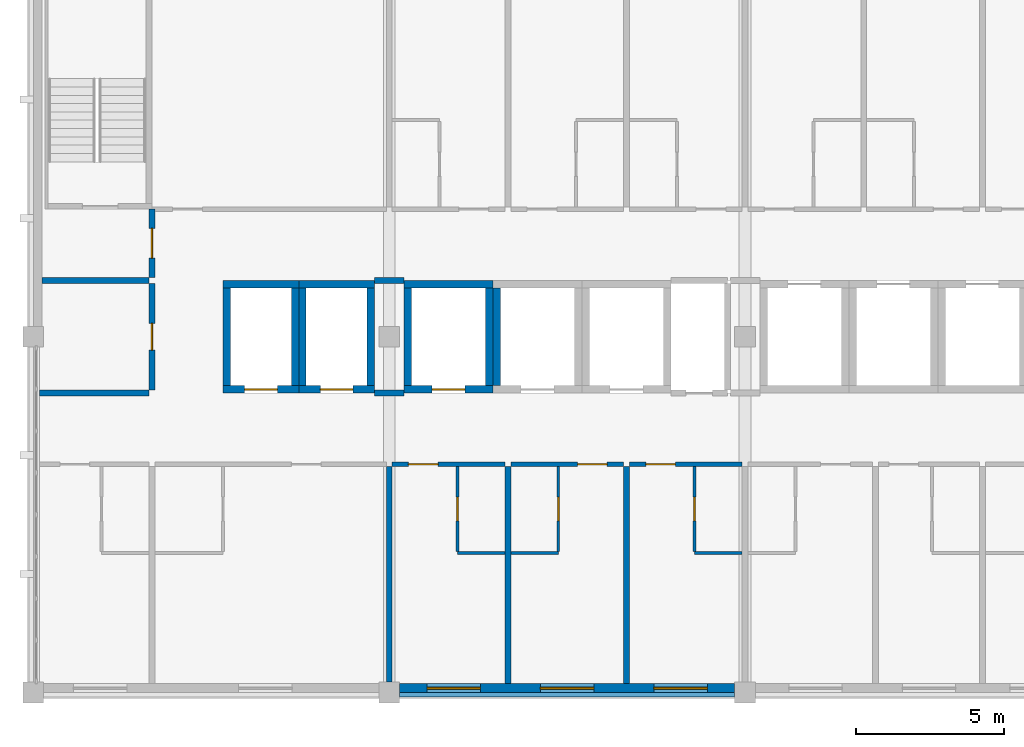
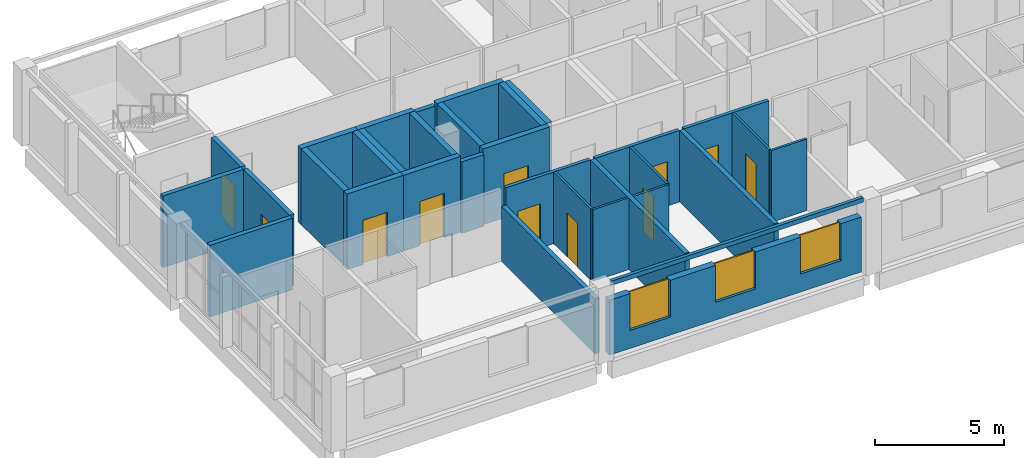
# One storey, part 6 of 11: 33 walls, 11 doors, 3 windows, 14 openings.
"""IFC4 building model written with IfcOpenShell, lengths in metres."""

from ifc_helpers import new_model, si_unit, direction, frame, frame_2d, origin, place, context, subcontext, project, spatial, rectangle, extrude, material, layer, layer_set, type_object, element, fill, save


model = new_model("IFC4")

# Units and contexts
model_context = context("Model", 3, precision=1e-05, world=origin(), true_north=direction((0.0, 1.0)))
body_context = subcontext(model_context, "Body", "Model", "MODEL_VIEW")
ifc_project = project(units=[si_unit("LENGTHUNIT", "METRE"), si_unit("AREAUNIT", "SQUARE_METRE"), si_unit("VOLUMEUNIT", "CUBIC_METRE"), si_unit("PLANEANGLEUNIT", "RADIAN"), si_unit("MASSUNIT", "GRAM", prefix="KILO")], contexts=[model_context])

# Site, building, storey
site_placement = place(None, origin())
site = spatial("IfcSite", under=ifc_project, at=site_placement, CompositionType="ELEMENT")
building_placement = place(site_placement, origin())
building = spatial("IfcBuilding", under=site, at=building_placement, Name="Lilac Gate Convention Centre", CompositionType="ELEMENT")
storey_placement = place(building_placement, frame((0.0, 0.0, 57.0)))
storey = spatial("IfcBuildingStorey", under=building, at=storey_placement, Name="L14", CompositionType="ELEMENT", Elevation=57.0)

# Wall, opening, door
ifc_material_1 = material(Name="Concrete C40", Category="concrete")
ifc_layer_1 = layer(ifc_material_1, 0.25)
ifc_layer_set_1 = layer_set([ifc_layer_1], Name="Concrete C40")
wall_type_1 = type_object("IfcWallType", Name="Core wall 250 C40", PredefinedType="SHEAR", material=ifc_layer_set_1)
wall_1_placement = place(storey_placement, frame((54.5, 232.22509765625, 0.0), z_axis=(0.0, 0.0, 1.0), x_axis=(1.0, 0.0, 0.0)))
wall_1 = element("IfcWall", 1, at=wall_1_placement, inside=storey, type_object=wall_type_1, Name="CRW5 core wall TC L14 1", PredefinedType="SHEAR", context=body_context, shape_type="SweptSolid", body=[
    extrude(rectangle(XDim=3.0, YDim=0.25, at=frame_2d((1.5, 0.0))), origin(), (0.0, 0.0, 1.0), 3.60009765625),
])
opening_1_placement = place(wall_1_placement, frame((0.949951171875, 0.0, 0.0)))
opening_1 = element("IfcOpeningElement", 2, at=opening_1_placement, cuts=wall_1, Name="Opening T13-047", PredefinedType="OPENING", context=body_context, shape_type="SweptSolid", body=[
    extrude(rectangle(XDim=1.10009765625, YDim=2.10009765625, at=frame_2d((0.550048828125, 1.050048828125))), frame((0.0, 0.135009765625, 0.0), z_axis=(0.0, -1.0, 0.0), x_axis=(1.0, 0.0, 0.0)), (0.0, 0.0, 1.0), 0.27001953125),
])
ifc_material_2 = material(Name="Stainless steel 304", Category="steel")
door_type_1 = type_object("IfcDoorType", Name="Lift landing door 1100", OperationType="SLIDING_TO_LEFT", PredefinedType="DOOR", material=ifc_material_2)
door_1_placement = place(opening_1_placement, origin())
door_1 = element("IfcDoor", 3, at=door_1_placement, inside=storey, type_object=door_type_1, Name="Lift landing door TP1 L14", OperationType="SLIDING_TO_LEFT", OverallHeight=2.10009765625, OverallWidth=1.10009765625, PredefinedType="DOOR", context=body_context, shape_type="SweptSolid", body=[
    extrude(rectangle(XDim=1.10009765625, YDim=2.10009765625, at=frame_2d((0.550048828125, 1.050048828125))), frame((0.0, 0.02490234375, 0.0), z_axis=(0.0, -1.0, 0.0), x_axis=(1.0, 0.0, 0.0)), (0.0, 0.0, 1.0), 0.050048828125),
])
fill(opening_1, door_1)

# Walls
wall_2_placement = place(storey_placement, frame((54.5, 235.77490234375, 0.0), z_axis=(0.0, 0.0, 1.0), x_axis=(1.0, 0.0, 0.0)))
element("IfcWall", 4, at=wall_2_placement, inside=storey, type_object=wall_type_1, Name="CRW5 core wall TC L14 2", PredefinedType="SHEAR", context=body_context, shape_type="SweptSolid", body=[
    extrude(rectangle(XDim=3.0, YDim=0.25, at=frame_2d((1.5, 0.0))), origin(), (0.0, 0.0, 1.0), 3.60009765625),
])
for number, where, z_axis, x_axis, name in (
    (5, (54.625, 232.35009765625, 0.0), (0.0, 0.0, 1.0), (0.0, 1.0, 0.0), "CRW5 core wall TC L14 3"),
    (6, (57.375, 232.35009765625, 0.0), (0.0, 0.0, 1.0), (0.0, 1.0, 0.0), "CRW5 core wall TC L14 4"),
    (7, (57.625, 232.35009765625, 0.0), (0.0, 0.0, 1.0), (0.0, 1.0, 0.0), "CRW5 core wall TC L14 7"),
):
    element("IfcWall", number, at=place(storey_placement, frame(where, z_axis=z_axis, x_axis=x_axis)), inside=storey, type_object=wall_type_1, Name=name, PredefinedType="SHEAR", context=body_context, shape_type="SweptSolid", body=[
        extrude(rectangle(XDim=3.2998046875, YDim=0.25, at=frame_2d((1.64990234375, 0.0))), origin(), (0.0, 0.0, 1.0), 3.60009765625),
    ])

# Wall, opening, door
wall_3_placement = place(storey_placement, frame((48.39990234375, 232.22509765625, 0.0), z_axis=(0.0, 0.0, 1.0), x_axis=(1.0, 0.0, 0.0)))
wall_3 = element("IfcWall", 8, at=wall_3_placement, inside=storey, type_object=wall_type_1, Name="CRW5 core wall TC L14 25", PredefinedType="SHEAR", context=body_context, shape_type="SweptSolid", body=[
    extrude(rectangle(XDim=2.550048828125, YDim=0.25, at=frame_2d((1.27490234375, 0.0))), origin(), (0.0, 0.0, 1.0), 3.60009765625),
])
opening_2_placement = place(wall_3_placement, frame((0.72509765625, 0.0, 0.0)))
opening_2 = element("IfcOpeningElement", 9, at=opening_2_placement, cuts=wall_3, Name="Opening T13-053", PredefinedType="OPENING", context=body_context, shape_type="SweptSolid", body=[
    extrude(rectangle(XDim=1.10009765625, YDim=2.10009765625, at=frame_2d((0.550048828125, 1.050048828125))), frame((0.0, 0.135009765625, 0.0), z_axis=(0.0, -1.0, 0.0), x_axis=(1.0, 0.0, 0.0)), (0.0, 0.0, 1.0), 0.27001953125),
])
door_2_placement = place(opening_2_placement, origin())
door_2 = element("IfcDoor", 10, at=door_2_placement, inside=storey, type_object=door_type_1, Name="Lift landing door TS1 L14", OperationType="SLIDING_TO_LEFT", OverallHeight=2.10009765625, OverallWidth=1.10009765625, PredefinedType="DOOR", context=body_context, shape_type="SweptSolid", body=[
    extrude(rectangle(XDim=1.10009765625, YDim=2.10009765625, at=frame_2d((0.550048828125, 1.050048828125))), frame((0.0, 0.02490234375, 0.0), z_axis=(0.0, -1.0, 0.0), x_axis=(1.0, 0.0, 0.0)), (0.0, 0.0, 1.0), 0.050048828125),
])
fill(opening_2, door_2)

# Walls
wall_4_placement = place(storey_placement, frame((48.39990234375, 235.77490234375, 0.0), z_axis=(0.0, 0.0, 1.0), x_axis=(1.0, 0.0, 0.0)))
element("IfcWall", 11, at=wall_4_placement, inside=storey, type_object=wall_type_1, Name="CRW5 core wall TC L14 26", PredefinedType="SHEAR", context=body_context, shape_type="SweptSolid", body=[
    extrude(rectangle(XDim=2.550048828125, YDim=0.25, at=frame_2d((1.27490234375, 0.0))), origin(), (0.0, 0.0, 1.0), 3.60009765625),
])
for number, where, z_axis, x_axis, name in (
    (12, (48.52490234375, 232.35009765625, 0.0), (0.0, 0.0, 1.0), (0.0, 1.0, 0.0), "CRW5 core wall TC L14 27"),
    (13, (50.824951171875, 232.35009765625, 0.0), (0.0, 0.0, 1.0), (0.0, 1.0, 0.0), "CRW5 core wall TC L14 28"),
):
    element("IfcWall", number, at=place(storey_placement, frame(where, z_axis=z_axis, x_axis=x_axis)), inside=storey, type_object=wall_type_1, Name=name, PredefinedType="SHEAR", context=body_context, shape_type="SweptSolid", body=[
        extrude(rectangle(XDim=3.2998046875, YDim=0.25, at=frame_2d((1.64990234375, 0.0))), origin(), (0.0, 0.0, 1.0), 3.60009765625),
    ])

# Wall, opening, door
wall_5_placement = place(storey_placement, frame((50.949951171875, 232.22509765625, 0.0), z_axis=(0.0, 0.0, 1.0), x_axis=(1.0, 0.0, 0.0)))
wall_5 = element("IfcWall", 14, at=wall_5_placement, inside=storey, type_object=wall_type_1, Name="CRW5 core wall TC L14 29", PredefinedType="SHEAR", context=body_context, shape_type="SweptSolid", body=[
    extrude(rectangle(XDim=2.550048828125, YDim=0.25, at=frame_2d((1.27490234375, 0.0))), origin(), (0.0, 0.0, 1.0), 3.60009765625),
])
opening_3_placement = place(wall_5_placement, frame((0.72509765625, 0.0, 0.0)))
opening_3 = element("IfcOpeningElement", 15, at=opening_3_placement, cuts=wall_5, Name="Opening T13-054", PredefinedType="OPENING", context=body_context, shape_type="SweptSolid", body=[
    extrude(rectangle(XDim=1.10009765625, YDim=2.10009765625, at=frame_2d((0.550048828125, 1.050048828125))), frame((0.0, 0.135009765625, 0.0), z_axis=(0.0, -1.0, 0.0), x_axis=(1.0, 0.0, 0.0)), (0.0, 0.0, 1.0), 0.27001953125),
])
door_3_placement = place(opening_3_placement, origin())
door_3 = element("IfcDoor", 16, at=door_3_placement, inside=storey, type_object=door_type_1, Name="Lift landing door TS2 L14", OperationType="SLIDING_TO_LEFT", OverallHeight=2.10009765625, OverallWidth=1.10009765625, PredefinedType="DOOR", context=body_context, shape_type="SweptSolid", body=[
    extrude(rectangle(XDim=1.10009765625, YDim=2.10009765625, at=frame_2d((0.550048828125, 1.050048828125))), frame((0.0, 0.02490234375, 0.0), z_axis=(0.0, -1.0, 0.0), x_axis=(1.0, 0.0, 0.0)), (0.0, 0.0, 1.0), 0.050048828125),
])
fill(opening_3, door_3)

# Walls
wall_6_placement = place(storey_placement, frame((50.949951171875, 235.77490234375, 0.0), z_axis=(0.0, 0.0, 1.0), x_axis=(1.0, 0.0, 0.0)))
element("IfcWall", 17, at=wall_6_placement, inside=storey, type_object=wall_type_1, Name="CRW5 core wall TC L14 30", PredefinedType="SHEAR", context=body_context, shape_type="SweptSolid", body=[
    extrude(rectangle(XDim=2.550048828125, YDim=0.25, at=frame_2d((1.27490234375, 0.0))), origin(), (0.0, 0.0, 1.0), 3.60009765625),
])
for number, where, z_axis, x_axis, name in (
    (18, (51.074951171875, 232.35009765625, 0.0), (0.0, 0.0, 1.0), (0.0, 1.0, 0.0), "CRW5 core wall TC L14 31"),
    (19, (53.375, 232.35009765625, 0.0), (0.0, 0.0, 1.0), (0.0, 1.0, 0.0), "CRW5 core wall TC L14 32"),
):
    element("IfcWall", number, at=place(storey_placement, frame(where, z_axis=z_axis, x_axis=x_axis)), inside=storey, type_object=wall_type_1, Name=name, PredefinedType="SHEAR", context=body_context, shape_type="SweptSolid", body=[
        extrude(rectangle(XDim=3.2998046875, YDim=0.25, at=frame_2d((1.64990234375, 0.0))), origin(), (0.0, 0.0, 1.0), 3.60009765625),
    ])

# Wall, opening, door
ifc_material_3 = material(Name="Gypsum board on steel stud", Category="steel")
ifc_layer_2 = layer(ifc_material_3, 0.14990234375)
ifc_layer_set_2 = layer_set([ifc_layer_2], Name="Gypsum board on steel stud")
wall_type_2 = type_object("IfcWallType", Name="Corridor wall 150", PredefinedType="PARTITIONING", material=ifc_layer_set_2)
wall_7_placement = place(storey_placement, frame((57.89990234375, 229.699951171875, 0.0), z_axis=(0.0, 0.0, 1.0), x_axis=(-1.0, 0.0, 0.0)))
wall_7 = element("IfcWall", 20, at=wall_7_placement, inside=storey, type_object=wall_type_2, Name="Corridor wall 150 front 1403", PredefinedType="PARTITIONING", context=body_context, shape_type="SweptSolid", body=[
    extrude(rectangle(XDim=3.7998046875, YDim=0.14990234375, at=frame_2d((1.89990234375, 0.0))), origin(), (0.0, 0.0, 1.0), 3.39990234375),
])
opening_4_placement = place(wall_7_placement, frame((2.25, 0.0, 0.0)))
opening_4 = element("IfcOpeningElement", 21, at=opening_4_placement, cuts=wall_7, Name="Opening T13-012", PredefinedType="OPENING", context=body_context, shape_type="SweptSolid", body=[
    extrude(rectangle(XDim=1.0, YDim=2.10009765625, at=frame_2d((0.5, 1.050048828125))), frame((0.0, 0.0849609375, 0.0), z_axis=(0.0, -1.0, 0.0), x_axis=(1.0, 0.0, 0.0)), (0.0, 0.0, 1.0), 0.169921875),
])
ifc_material_4 = material(Name="Timber", Category="wood")
door_type_2 = type_object("IfcDoorType", Name="Guest room entrance door 1000", OperationType="SINGLE_SWING_LEFT", PredefinedType="DOOR", material=ifc_material_4)
door_4_placement = place(opening_4_placement, origin())
door_4 = element("IfcDoor", 22, at=door_4_placement, inside=storey, type_object=door_type_2, Name="Guest room door 1403", OperationType="SINGLE_SWING_RIGHT", OverallHeight=2.10009765625, OverallWidth=1.0, PredefinedType="DOOR", context=body_context, shape_type="SweptSolid", body=[
    extrude(rectangle(XDim=1.0, YDim=2.10009765625, at=frame_2d((0.5, 1.050048828125))), frame((0.0, 0.02490234375, 0.0), z_axis=(0.0, -1.0, 0.0), x_axis=(1.0, 0.0, 0.0)), (0.0, 0.0, 1.0), 0.050048828125),
])
fill(opening_4, door_4)

wall_8_placement = place(storey_placement, frame((61.89990234375, 229.699951171875, 0.0), z_axis=(0.0, 0.0, 1.0), x_axis=(-1.0, 0.0, 0.0)))
wall_8 = element("IfcWall", 23, at=wall_8_placement, inside=storey, type_object=wall_type_2, Name="Corridor wall 150 front 1404", PredefinedType="PARTITIONING", context=body_context, shape_type="SweptSolid", body=[
    extrude(rectangle(XDim=3.7998046875, YDim=0.14990234375, at=frame_2d((1.89990234375, 0.0))), origin(), (0.0, 0.0, 1.0), 3.39990234375),
])
opening_5_placement = place(wall_8_placement, frame((0.550048828125, 0.0, 0.0)))
opening_5 = element("IfcOpeningElement", 24, at=opening_5_placement, cuts=wall_8, Name="Opening T13-014", PredefinedType="OPENING", context=body_context, shape_type="SweptSolid", body=[
    extrude(rectangle(XDim=1.0, YDim=2.10009765625, at=frame_2d((0.5, 1.050048828125))), frame((0.0, 0.0849609375, 0.0), z_axis=(0.0, -1.0, 0.0), x_axis=(1.0, 0.0, 0.0)), (0.0, 0.0, 1.0), 0.169921875),
])
door_5_placement = place(opening_5_placement, origin())
door_5 = element("IfcDoor", 25, at=door_5_placement, inside=storey, type_object=door_type_2, Name="Guest room door 1404", OperationType="SINGLE_SWING_LEFT", OverallHeight=2.10009765625, OverallWidth=1.0, PredefinedType="DOOR", context=body_context, shape_type="SweptSolid", body=[
    extrude(rectangle(XDim=1.0, YDim=2.10009765625, at=frame_2d((0.5, 1.050048828125))), frame((0.0, 0.02490234375, 0.0), z_axis=(0.0, -1.0, 0.0), x_axis=(1.0, 0.0, 0.0)), (0.0, 0.0, 1.0), 0.050048828125),
])
fill(opening_5, door_5)

wall_9_placement = place(storey_placement, frame((65.89990234375, 229.699951171875, 0.0), z_axis=(0.0, 0.0, 1.0), x_axis=(-1.0, 0.0, 0.0)))
wall_9 = element("IfcWall", 26, at=wall_9_placement, inside=storey, type_object=wall_type_2, Name="Corridor wall 150 front 1405", PredefinedType="PARTITIONING", context=body_context, shape_type="SweptSolid", body=[
    extrude(rectangle(XDim=3.7998046875, YDim=0.14990234375, at=frame_2d((1.89990234375, 0.0))), origin(), (0.0, 0.0, 1.0), 3.39990234375),
])
opening_6_placement = place(wall_9_placement, frame((2.25, 0.0, 0.0)))
opening_6 = element("IfcOpeningElement", 27, at=opening_6_placement, cuts=wall_9, Name="Opening T13-016", PredefinedType="OPENING", context=body_context, shape_type="SweptSolid", body=[
    extrude(rectangle(XDim=1.0, YDim=2.10009765625, at=frame_2d((0.5, 1.050048828125))), frame((0.0, 0.0849609375, 0.0), z_axis=(0.0, -1.0, 0.0), x_axis=(1.0, 0.0, 0.0)), (0.0, 0.0, 1.0), 0.169921875),
])
door_6_placement = place(opening_6_placement, origin())
door_6 = element("IfcDoor", 28, at=door_6_placement, inside=storey, type_object=door_type_2, Name="Guest room door 1405", OperationType="SINGLE_SWING_LEFT", OverallHeight=2.10009765625, OverallWidth=1.0, PredefinedType="DOOR", context=body_context, shape_type="SweptSolid", body=[
    extrude(rectangle(XDim=1.0, YDim=2.10009765625, at=frame_2d((0.5, 1.050048828125))), frame((0.0, 0.02490234375, 0.0), z_axis=(0.0, -1.0, 0.0), x_axis=(1.0, 0.0, 0.0)), (0.0, 0.0, 1.0), 0.050048828125),
])
fill(opening_6, door_6)

# Wall
ifc_layer_3 = layer(ifc_material_3, 0.10009765625)
ifc_layer_set_3 = layer_set([ifc_layer_3], Name="Gypsum board on steel stud")
wall_type_3 = type_object("IfcWallType", Name="En-suite wall 100", PredefinedType="PARTITIONING", material=ifc_layer_set_3)
wall_10_placement = place(storey_placement, frame((56.300048828125, 226.699951171875, 0.0), z_axis=(0.0, 0.0, 1.0), x_axis=(1.0, 0.0, 0.0)))
element("IfcWall", 29, at=wall_10_placement, inside=storey, type_object=wall_type_3, Name="En-suite wall 100 bath 1403", PredefinedType="PARTITIONING", context=body_context, shape_type="SweptSolid", body=[
    extrude(rectangle(XDim=1.599853515625, YDim=0.10009765625, at=frame_2d((0.7998046875, 0.0))), origin(), (0.0, 0.0, 1.0), 3.39990234375),
])

# Wall, opening, door
wall_11_placement = place(storey_placement, frame((56.300048828125, 226.75, 0.0), z_axis=(0.0, 0.0, 1.0), x_axis=(0.0, 1.0, 0.0)))
wall_11 = element("IfcWall", 30, at=wall_11_placement, inside=storey, type_object=wall_type_3, Name="En-suite wall 100 bath side 1403", PredefinedType="PARTITIONING", context=body_context, shape_type="SweptSolid", body=[
    extrude(rectangle(XDim=2.875, YDim=0.10009765625, at=frame_2d((1.4375, 0.0))), origin(), (0.0, 0.0, 1.0), 3.39990234375),
])
opening_7_placement = place(wall_11_placement, frame((1.03759765625, 0.0, 0.0)))
opening_7 = element("IfcOpeningElement", 31, at=opening_7_placement, cuts=wall_11, Name="Opening T13-013", PredefinedType="OPENING", context=body_context, shape_type="SweptSolid", body=[
    extrude(rectangle(XDim=0.800048828125, YDim=2.10009765625, at=frame_2d((0.39990234375, 1.050048828125))), frame((0.0, 0.06005859375, 0.0), z_axis=(0.0, -1.0, 0.0), x_axis=(1.0, 0.0, 0.0)), (0.0, 0.0, 1.0), 0.1201171875),
])
door_type_3 = type_object("IfcDoorType", Name="En-suite door 800", OperationType="SINGLE_SWING_LEFT", PredefinedType="DOOR", material=ifc_material_4)
door_7_placement = place(opening_7_placement, origin())
door_7 = element("IfcDoor", 32, at=door_7_placement, inside=storey, type_object=door_type_3, Name="En-suite door 1403", OperationType="SINGLE_SWING_RIGHT", OverallHeight=2.10009765625, OverallWidth=0.800048828125, PredefinedType="DOOR", context=body_context, shape_type="SweptSolid", body=[
    extrude(rectangle(XDim=0.800048828125, YDim=2.10009765625, at=frame_2d((0.39990234375, 1.050048828125))), frame((0.0, 0.02490234375, 0.0), z_axis=(0.0, -1.0, 0.0), x_axis=(1.0, 0.0, 0.0)), (0.0, 0.0, 1.0), 0.050048828125),
])
fill(opening_7, door_7)

# Wall
wall_12_placement = place(storey_placement, frame((58.10009765625, 226.699951171875, 0.0), z_axis=(0.0, 0.0, 1.0), x_axis=(1.0, 0.0, 0.0)))
element("IfcWall", 33, at=wall_12_placement, inside=storey, type_object=wall_type_3, Name="En-suite wall 100 bath 1404", PredefinedType="PARTITIONING", context=body_context, shape_type="SweptSolid", body=[
    extrude(rectangle(XDim=1.599853515625, YDim=0.10009765625, at=frame_2d((0.7998046875, 0.0))), origin(), (0.0, 0.0, 1.0), 3.39990234375),
])

# Wall, opening, door
wall_13_placement = place(storey_placement, frame((59.699951171875, 229.625, 0.0), z_axis=(0.0, 0.0, 1.0), x_axis=(0.0, -1.0, 0.0)))
wall_13 = element("IfcWall", 34, at=wall_13_placement, inside=storey, type_object=wall_type_3, Name="En-suite wall 100 bath side 1404", PredefinedType="PARTITIONING", context=body_context, shape_type="SweptSolid", body=[
    extrude(rectangle(XDim=2.875, YDim=0.10009765625, at=frame_2d((1.4375, 0.0))), origin(), (0.0, 0.0, 1.0), 3.39990234375),
])
opening_8_placement = place(wall_13_placement, frame((1.03759765625, 0.0, 0.0)))
opening_8 = element("IfcOpeningElement", 35, at=opening_8_placement, cuts=wall_13, Name="Opening T13-015", PredefinedType="OPENING", context=body_context, shape_type="SweptSolid", body=[
    extrude(rectangle(XDim=0.800048828125, YDim=2.10009765625, at=frame_2d((0.39990234375, 1.050048828125))), frame((0.0, 0.06005859375, 0.0), z_axis=(0.0, -1.0, 0.0), x_axis=(1.0, 0.0, 0.0)), (0.0, 0.0, 1.0), 0.1201171875),
])
door_8_placement = place(opening_8_placement, origin())
door_8 = element("IfcDoor", 36, at=door_8_placement, inside=storey, type_object=door_type_3, Name="En-suite door 1404", OperationType="SINGLE_SWING_LEFT", OverallHeight=2.10009765625, OverallWidth=0.800048828125, PredefinedType="DOOR", context=body_context, shape_type="SweptSolid", body=[
    extrude(rectangle(XDim=0.800048828125, YDim=2.10009765625, at=frame_2d((0.39990234375, 1.050048828125))), frame((0.0, 0.02490234375, 0.0), z_axis=(0.0, -1.0, 0.0), x_axis=(1.0, 0.0, 0.0)), (0.0, 0.0, 1.0), 0.050048828125),
])
fill(opening_8, door_8)

# Wall
wall_14_placement = place(storey_placement, frame((64.300048828125, 226.699951171875, 0.0), z_axis=(0.0, 0.0, 1.0), x_axis=(1.0, 0.0, 0.0)))
element("IfcWall", 37, at=wall_14_placement, inside=storey, type_object=wall_type_3, Name="En-suite wall 100 bath 1405", PredefinedType="PARTITIONING", context=body_context, shape_type="SweptSolid", body=[
    extrude(rectangle(XDim=1.599853515625, YDim=0.10009765625, at=frame_2d((0.7998046875, 0.0))), origin(), (0.0, 0.0, 1.0), 3.39990234375),
])

# Wall, opening, door
wall_15_placement = place(storey_placement, frame((64.300048828125, 226.75, 0.0), z_axis=(0.0, 0.0, 1.0), x_axis=(0.0, 1.0, 0.0)))
wall_15 = element("IfcWall", 38, at=wall_15_placement, inside=storey, type_object=wall_type_3, Name="En-suite wall 100 bath side 1405", PredefinedType="PARTITIONING", context=body_context, shape_type="SweptSolid", body=[
    extrude(rectangle(XDim=2.875, YDim=0.10009765625, at=frame_2d((1.4375, 0.0))), origin(), (0.0, 0.0, 1.0), 3.39990234375),
])
opening_9_placement = place(wall_15_placement, frame((1.03759765625, 0.0, 0.0)))
opening_9 = element("IfcOpeningElement", 39, at=opening_9_placement, cuts=wall_15, Name="Opening T13-017", PredefinedType="OPENING", context=body_context, shape_type="SweptSolid", body=[
    extrude(rectangle(XDim=0.800048828125, YDim=2.10009765625, at=frame_2d((0.39990234375, 1.050048828125))), frame((0.0, 0.06005859375, 0.0), z_axis=(0.0, -1.0, 0.0), x_axis=(1.0, 0.0, 0.0)), (0.0, 0.0, 1.0), 0.1201171875),
])
door_9_placement = place(opening_9_placement, origin())
door_9 = element("IfcDoor", 40, at=door_9_placement, inside=storey, type_object=door_type_3, Name="En-suite door 1405", OperationType="SINGLE_SWING_RIGHT", OverallHeight=2.10009765625, OverallWidth=0.800048828125, PredefinedType="DOOR", context=body_context, shape_type="SweptSolid", body=[
    extrude(rectangle(XDim=0.800048828125, YDim=2.10009765625, at=frame_2d((0.39990234375, 1.050048828125))), frame((0.0, 0.02490234375, 0.0), z_axis=(0.0, -1.0, 0.0), x_axis=(1.0, 0.0, 0.0)), (0.0, 0.0, 1.0), 0.050048828125),
])
fill(opening_9, door_9)

# Walls
ifc_layer_4 = layer(ifc_material_3, 0.199951171875)
ifc_layer_set_4 = layer_set([ifc_layer_4], Name="Gypsum board on steel stud")
wall_type_4 = type_object("IfcWallType", Name="Guest room party wall 200", PredefinedType="PARTITIONING", material=ifc_layer_set_4)
wall_16_placement = place(storey_placement, frame((54.0, 222.35009765625, 0.0), z_axis=(0.0, 0.0, 1.0), x_axis=(0.0, 1.0, 0.0)))
element("IfcWall", 41, at=wall_16_placement, inside=storey, type_object=wall_type_4, Name="Guest room party wall 200 party 54.0", PredefinedType="PARTITIONING", context=body_context, shape_type="SweptSolid", body=[
    extrude(rectangle(XDim=7.27490234375, YDim=0.199951171875, at=frame_2d((3.637451171875, 0.0))), origin(), (0.0, 0.0, 1.0), 2.60009765625),
])
for number, where, z_axis, x_axis, name in (
    (42, (58.0, 222.2998046875, 0.0), (0.0, 0.0, 1.0), (0.0, 1.0, 0.0), "Guest room party wall 200 party 58.0"),
    (43, (62.0, 222.2998046875, 0.0), (0.0, 0.0, 1.0), (0.0, 1.0, 0.0), "Guest room party wall 200 party 62.0"),
):
    element("IfcWall", number, at=place(storey_placement, frame(where, z_axis=z_axis, x_axis=x_axis)), inside=storey, type_object=wall_type_4, Name=name, PredefinedType="PARTITIONING", context=body_context, shape_type="SweptSolid", body=[
        extrude(rectangle(XDim=7.3251953125, YDim=0.199951171875, at=frame_2d((3.66259765625, 0.0))), origin(), (0.0, 0.0, 1.0), 3.39990234375),
    ])

# Wall, opening, door
ifc_layer_5 = layer(ifc_material_3, 0.199951171875)
ifc_layer_set_5 = layer_set([ifc_layer_5], Name="Gypsum board on steel stud")
wall_type_5 = type_object("IfcWallType", Name="Lobby wall 200", PredefinedType="PARTITIONING", material=ifc_layer_set_5)
wall_17_placement = place(storey_placement, frame((46.0, 236.0, 0.0), z_axis=(0.0, 0.0, 1.0), x_axis=(0.0, 1.0, 0.0)))
wall_17 = element("IfcWall", 44, at=wall_17_placement, inside=storey, type_object=wall_type_5, Name="Lobby wall 200 STL-NW-E", PredefinedType="PARTITIONING", context=body_context, shape_type="SweptSolid", body=[
    extrude(rectangle(XDim=2.300048828125, YDim=0.199951171875, at=frame_2d((1.14990234375, 0.0))), origin(), (0.0, 0.0, 1.0), 3.39990234375),
])
opening_10_placement = place(wall_17_placement, frame((0.64990234375, 0.0, 0.0)))
opening_10 = element("IfcOpeningElement", 45, at=opening_10_placement, cuts=wall_17, Name="Opening T13-006", PredefinedType="OPENING", context=body_context, shape_type="SweptSolid", body=[
    extrude(rectangle(XDim=1.0, YDim=2.10009765625, at=frame_2d((0.5, 1.050048828125))), frame((0.0, 0.10986328125, 0.0), z_axis=(0.0, -1.0, 0.0), x_axis=(1.0, 0.0, 0.0)), (0.0, 0.0, 1.0), 0.219970703125),
])
ifc_material_5 = material(Name="Steel Q235B", Category="steel")
door_type_4 = type_object("IfcDoorType", Name="Lobby door 1000", OperationType="SINGLE_SWING_LEFT", PredefinedType="DOOR", material=ifc_material_5)
door_10_placement = place(opening_10_placement, origin())
door_10 = element("IfcDoor", 46, at=door_10_placement, inside=storey, type_object=door_type_4, Name="Stair lobby door NW", OperationType="SINGLE_SWING_LEFT", OverallHeight=2.10009765625, OverallWidth=1.0, PredefinedType="DOOR", context=body_context, shape_type="SweptSolid", body=[
    extrude(rectangle(XDim=1.0, YDim=2.10009765625, at=frame_2d((0.5, 1.050048828125))), frame((0.0, 0.02490234375, 0.0), z_axis=(0.0, -1.0, 0.0), x_axis=(1.0, 0.0, 0.0)), (0.0, 0.0, 1.0), 0.050048828125),
])
fill(opening_10, door_10)

# Wall
ifc_material_6 = material(Name="Concrete C40 precast", Category="concrete")
ifc_layer_6 = layer(ifc_material_6, 0.1298828125)
ifc_material_7 = material(Name="Ochre mineral render")
ifc_layer_7 = layer(ifc_material_7, 0.02001953125)
ifc_layer_set_6 = layer_set([ifc_layer_6, ifc_layer_7], Name="Concrete C40 precast, Ochre mineral render")
wall_type_6 = type_object("IfcWallType", Name="Precast band ochre 150", PredefinedType="STANDARD", material=ifc_layer_set_6)
wall_18_placement = place(storey_placement, frame((54.35009765625, 221.925048828125, 3.39990234375), z_axis=(0.0, 0.0, 1.0), x_axis=(1.0, 0.0, 0.0)))
element("IfcWall", 47, at=wall_18_placement, inside=storey, type_object=wall_type_6, Name="Precast band S L14 2", PredefinedType="STANDARD", context=body_context, shape_type="SweptSolid", body=[
    extrude(rectangle(XDim=11.2998046875, YDim=0.14990234375, at=frame_2d((5.64990234375, 0.0))), origin(), (0.0, 0.0, 1.0), 0.2001953125),
])

# Wall, openings, windows
ifc_material_8 = material(Name="Terracotta glazed cladding", Category="masonry")
ifc_layer_8 = layer(ifc_material_8, 0.02001953125)
ifc_layer_9 = layer(ifc_material_6, 0.06005859375)
ifc_material_9 = material(Name="Ventilated air cavity")
ifc_layer_10 = layer(ifc_material_9, 0.030029296875)
ifc_material_10 = material(Name="Mineral wool insulation")
ifc_layer_11 = layer(ifc_material_10, 0.1201171875)
ifc_material_11 = material(Name="Steel stud Q345 and gypsum lining", Category="steel")
ifc_layer_12 = layer(ifc_material_11, 0.070068359375)
ifc_layer_set_7 = layer_set([ifc_layer_8, ifc_layer_9, ifc_layer_10, ifc_layer_11, ifc_layer_12], Name="Terracotta glazed cladding, Concrete C40 precast, Ventilated air cavity, Mineral wool insulation, Steel stud Q345 and gypsum lining")
wall_type_7 = type_object("IfcWallType", Name="Precast panel wall terracotta 300", PredefinedType="STANDARD", material=ifc_layer_set_7)
wall_19_placement = place(storey_placement, frame((54.35009765625, 222.14990234375, 0.0), z_axis=(0.0, 0.0, 1.0), x_axis=(1.0, 0.0, 0.0)))
wall_19 = element("IfcWall", 48, at=wall_19_placement, inside=storey, type_object=wall_type_7, Name="External wall S L14 2", PredefinedType="STANDARD", context=body_context, shape_type="SweptSolid", body=[
    extrude(rectangle(XDim=11.2998046875, YDim=0.300048828125, at=frame_2d((5.64990234375, 0.0))), origin(), (0.0, 0.0, 1.0), 2.60009765625),
])
opening_11_placement = place(wall_19_placement, frame((0.925048828125, 0.0, 0.85009765625)))
opening_11 = element("IfcOpeningElement", 49, at=opening_11_placement, cuts=wall_19, Name="Opening W1", PredefinedType="OPENING", context=body_context, shape_type="SweptSolid", body=[
    extrude(rectangle(XDim=1.800048828125, YDim=1.75, at=frame_2d((0.89990234375, 0.875))), frame((0.0, 0.159912109375, 0.0), z_axis=(0.0, -1.0, 0.0), x_axis=(1.0, 0.0, 0.0)), (0.0, 0.0, 1.0), 0.320068359375),
])
opening_12_placement = place(wall_19_placement, frame((4.75, 0.0, 0.85009765625)))
opening_12 = element("IfcOpeningElement", 50, at=opening_12_placement, cuts=wall_19, Name="Opening W1", PredefinedType="OPENING", context=body_context, shape_type="SweptSolid", body=[
    extrude(rectangle(XDim=1.800048828125, YDim=1.75, at=frame_2d((0.89990234375, 0.875))), frame((0.0, 0.159912109375, 0.0), z_axis=(0.0, -1.0, 0.0), x_axis=(1.0, 0.0, 0.0)), (0.0, 0.0, 1.0), 0.320068359375),
])
opening_13_placement = place(wall_19_placement, frame((8.574951171875, 0.0, 0.85009765625)))
opening_13 = element("IfcOpeningElement", 51, at=opening_13_placement, cuts=wall_19, Name="Opening W1", PredefinedType="OPENING", context=body_context, shape_type="SweptSolid", body=[
    extrude(rectangle(XDim=1.800048828125, YDim=1.75, at=frame_2d((0.89990234375, 0.875))), frame((0.0, 0.159912109375, 0.0), z_axis=(0.0, -1.0, 0.0), x_axis=(1.0, 0.0, 0.0)), (0.0, 0.0, 1.0), 0.320068359375),
])
ifc_material_12 = material(Name="Aluminium framed double glazing", Category="aluminium")
window_type = type_object("IfcWindowType", Name="Guest room window 1800 x 1750", PartitioningType="DOUBLE_PANEL_VERTICAL", PredefinedType="WINDOW", material=ifc_material_12)
window_1_placement = place(opening_11_placement, origin())
window_1 = element("IfcWindow", 52, at=window_1_placement, inside=storey, type_object=window_type, Name="Window Guest S L14", OverallHeight=1.75, OverallWidth=1.800048828125, PartitioningType="SINGLE_PANEL", PredefinedType="WINDOW", context=body_context, shape_type="SweptSolid", body=[
    extrude(rectangle(XDim=1.800048828125, YDim=1.75, at=frame_2d((0.89990234375, 0.875))), frame((0.0, 0.030029296875, 0.0), z_axis=(0.0, -1.0, 0.0), x_axis=(1.0, 0.0, 0.0)), (0.0, 0.0, 1.0), 0.06005859375),
])
fill(opening_11, window_1)
window_2_placement = place(opening_12_placement, origin())
window_2 = element("IfcWindow", 53, at=window_2_placement, inside=storey, type_object=window_type, Name="Window Guest S L14", OverallHeight=1.75, OverallWidth=1.800048828125, PartitioningType="SINGLE_PANEL", PredefinedType="WINDOW", context=body_context, shape_type="SweptSolid", body=[
    extrude(rectangle(XDim=1.800048828125, YDim=1.75, at=frame_2d((0.89990234375, 0.875))), frame((0.0, 0.030029296875, 0.0), z_axis=(0.0, -1.0, 0.0), x_axis=(1.0, 0.0, 0.0)), (0.0, 0.0, 1.0), 0.06005859375),
])
fill(opening_12, window_2)
window_3_placement = place(opening_13_placement, origin())
window_3 = element("IfcWindow", 54, at=window_3_placement, inside=storey, type_object=window_type, Name="Window Guest S L14", OverallHeight=1.75, OverallWidth=1.800048828125, PartitioningType="SINGLE_PANEL", PredefinedType="WINDOW", context=body_context, shape_type="SweptSolid", body=[
    extrude(rectangle(XDim=1.800048828125, YDim=1.75, at=frame_2d((0.89990234375, 0.875))), frame((0.0, 0.030029296875, 0.0), z_axis=(0.0, -1.0, 0.0), x_axis=(1.0, 0.0, 0.0)), (0.0, 0.0, 1.0), 0.06005859375),
])
fill(opening_13, window_3)

# Walls
ifc_layer_13 = layer(ifc_material_3, 0.199951171875)
ifc_layer_set_8 = layer_set([ifc_layer_13], Name="Gypsum board on steel stud")
wall_type_8 = type_object("IfcWallType", Name="Riser and store wall 200", PredefinedType="PARTITIONING", material=ifc_layer_set_8)
wall_20_placement = place(storey_placement, frame((42.2001953125, 232.10009765625, 0.0), z_axis=(0.0, 0.0, 1.0), x_axis=(1.0, 0.0, 0.0)))
element("IfcWall", 55, at=wall_20_placement, inside=storey, type_object=wall_type_8, Name="Riser and store wall 200 HKW-S", PredefinedType="PARTITIONING", context=body_context, shape_type="SweptSolid", body=[
    extrude(rectangle(XDim=3.69970703125, YDim=0.199951171875, at=frame_2d((1.849853515625, 0.0))), origin(), (0.0, 0.0, 1.0), 3.39990234375),
])
wall_21_placement = place(storey_placement, frame((53.5, 232.10009765625, 0.0), z_axis=(0.0, 0.0, 1.0), x_axis=(1.0, 0.0, 0.0)))
element("IfcWall", 56, at=wall_21_placement, inside=storey, type_object=wall_type_8, Name="Riser and store wall 200 NICHE1-S", PredefinedType="PARTITIONING", context=body_context, shape_type="SweptSolid", body=[
    extrude(rectangle(XDim=1.0, YDim=0.199951171875, at=frame_2d((0.5, 0.0))), origin(), (0.0, 0.0, 1.0), 3.39990234375),
])
wall_22_placement = place(storey_placement, frame((42.2998046875, 235.89990234375, 0.0), z_axis=(0.0, 0.0, 1.0), x_axis=(1.0, 0.0, 0.0)))
element("IfcWall", 57, at=wall_22_placement, inside=storey, type_object=wall_type_8, Name="Riser and store wall 200 HKW-N", PredefinedType="PARTITIONING", context=body_context, shape_type="SweptSolid", body=[
    extrude(rectangle(XDim=3.60009765625, YDim=0.199951171875, at=frame_2d((1.800048828125, 0.0))), origin(), (0.0, 0.0, 1.0), 3.39990234375),
])
wall_23_placement = place(storey_placement, frame((53.5, 235.89990234375, 0.0), z_axis=(0.0, 0.0, 1.0), x_axis=(1.0, 0.0, 0.0)))
element("IfcWall", 58, at=wall_23_placement, inside=storey, type_object=wall_type_8, Name="Riser and store wall 200 NICHE1-N", PredefinedType="PARTITIONING", context=body_context, shape_type="SweptSolid", body=[
    extrude(rectangle(XDim=1.0, YDim=0.199951171875, at=frame_2d((0.5, 0.0))), origin(), (0.0, 0.0, 1.0), 3.39990234375),
])

# Wall, opening, door
wall_24_placement = place(storey_placement, frame((46.0, 232.199951171875, 0.0), z_axis=(0.0, 0.0, 1.0), x_axis=(0.0, 1.0, 0.0)))
wall_24 = element("IfcWall", 59, at=wall_24_placement, inside=storey, type_object=wall_type_8, Name="Riser and store wall 200 HKW-E", PredefinedType="PARTITIONING", context=body_context, shape_type="SweptSolid", body=[
    extrude(rectangle(XDim=3.60009765625, YDim=0.199951171875, at=frame_2d((1.800048828125, 0.0))), origin(), (0.0, 0.0, 1.0), 3.39990234375),
])
opening_14_placement = place(wall_24_placement, frame((1.35009765625, 0.0, 0.0)))
opening_14 = element("IfcOpeningElement", 60, at=opening_14_placement, cuts=wall_24, Name="Opening T13-001", PredefinedType="OPENING", context=body_context, shape_type="SweptSolid", body=[
    extrude(rectangle(XDim=0.89990234375, YDim=2.10009765625, at=frame_2d((0.449951171875, 1.050048828125))), frame((0.0, 0.10986328125, 0.0), z_axis=(0.0, -1.0, 0.0), x_axis=(1.0, 0.0, 0.0)), (0.0, 0.0, 1.0), 0.219970703125),
])
door_type_5 = type_object("IfcDoorType", Name="Riser and store door 900", OperationType="SINGLE_SWING_LEFT", PredefinedType="DOOR", material=ifc_material_5)
door_11_placement = place(opening_14_placement, origin())
door_11 = element("IfcDoor", 61, at=door_11_placement, inside=storey, type_object=door_type_5, Name="Housekeeping door", OperationType="SINGLE_SWING_LEFT", OverallHeight=2.10009765625, OverallWidth=0.89990234375, PredefinedType="DOOR", context=body_context, shape_type="SweptSolid", body=[
    extrude(rectangle(XDim=0.89990234375, YDim=2.10009765625, at=frame_2d((0.449951171875, 1.050048828125))), frame((0.0, 0.02490234375, 0.0), z_axis=(0.0, -1.0, 0.0), x_axis=(1.0, 0.0, 0.0)), (0.0, 0.0, 1.0), 0.050048828125),
])
fill(opening_14, door_11)

save(model, "model.ifc")
